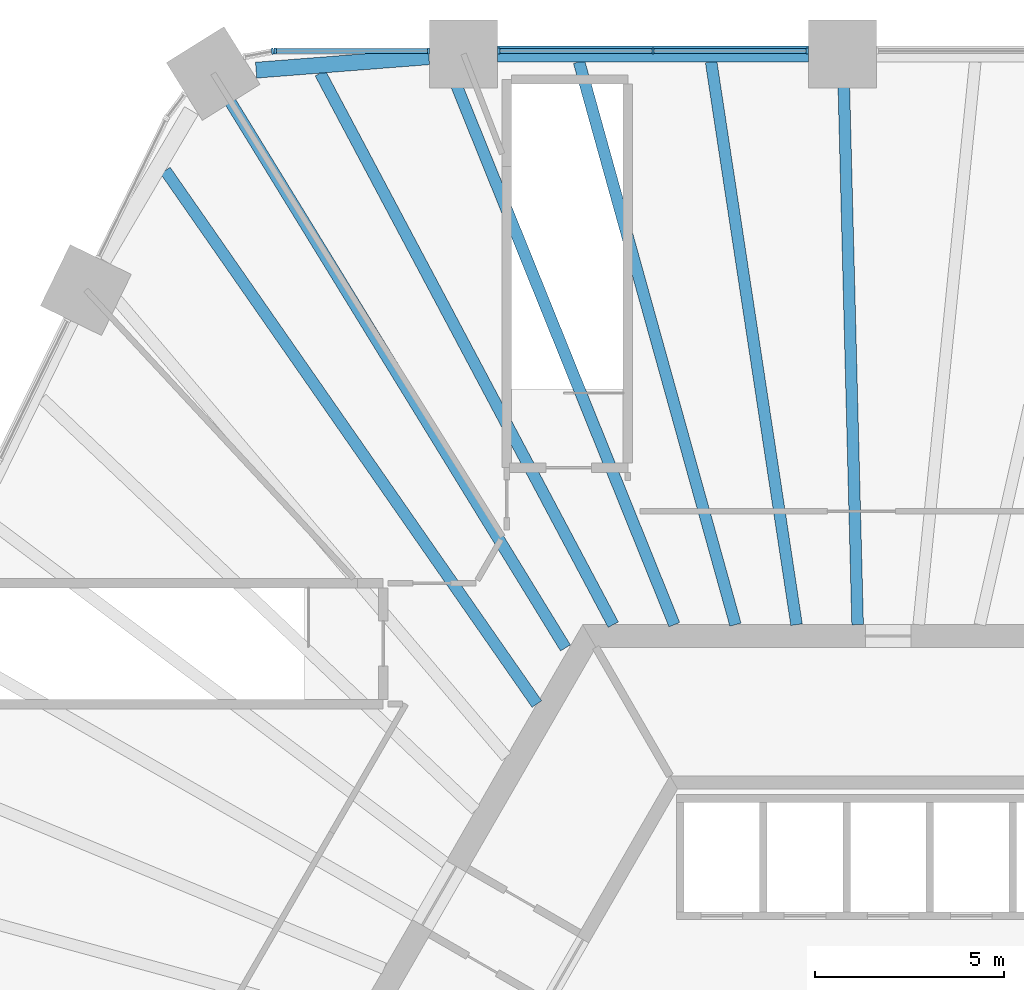
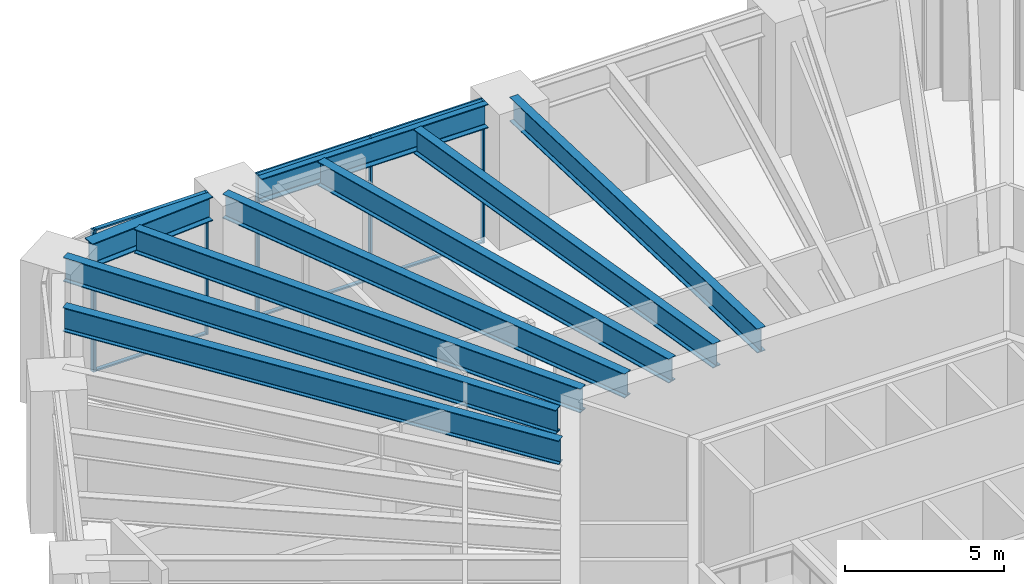
# One storey, part 7 of 25: 12 members, 9 beams, 3 elements without a shape of their own.
"""IFC4 building model written with IfcOpenShell, lengths in metres."""

from ifc_helpers import new_model, si_unit, direction, frame, origin, origin_2d, place, context, subcontext, project, spatial, rectangle, i_section, extrude, material, material_profile, profile_set, type_object, element, aggregate, save


model = new_model("IFC4")

# Units and contexts
model_context = context("Model", 3, precision=1e-05, world=origin(), true_north=direction((0.0, 1.0)))
body_context = subcontext(model_context, "Body", "Model", "MODEL_VIEW")
ifc_project = project(units=[si_unit("LENGTHUNIT", "METRE"), si_unit("AREAUNIT", "SQUARE_METRE"), si_unit("VOLUMEUNIT", "CUBIC_METRE"), si_unit("PLANEANGLEUNIT", "RADIAN"), si_unit("MASSUNIT", "GRAM", prefix="KILO")], contexts=[model_context])

# Site, building, storey
site_placement = place(None, origin())
site = spatial("IfcSite", under=ifc_project, at=site_placement, CompositionType="ELEMENT")
building_placement = place(site_placement, origin())
building = spatial("IfcBuilding", under=site, at=building_placement, Name="Tarnside Tower", CompositionType="ELEMENT")
storey_placement = place(building_placement, frame((0.0, 0.0, 26.0)))
storey = spatial("IfcBuildingStorey", under=building, at=storey_placement, Name="L04", CompositionType="ELEMENT", Elevation=26.0)

# Beams
ifc_material_1 = material(Name="Steel S355", Category="steel")
ifc_material_profile_1 = material_profile(ifc_material_1, i_section(OverallWidth=0.3076171875, OverallDepth=0.926513671875, WebThickness=0.01953125, FlangeThickness=0.031982421875, FilletRadius=0.01904296875, at=origin_2d()), Name="UB 914x305x289")
ifc_profile_set_1 = profile_set([ifc_material_profile_1], Name="Steel S355")
beam_type_1 = type_object("IfcBeamType", Name="Floor beam UB 914x305x289", PredefinedType="BEAM", material=ifc_profile_set_1)
beam_1_placement = place(storey_placement, frame((-1.189697265625, 28.889892578125, 4.73681640625), z_axis=(0.025602780317, -0.999672195092, 0.0), x_axis=(0.999672195092, 0.025602780317, 0.0)))
element("IfcBeam", 1, at=beam_1_placement, inside=storey, type_object=beam_type_1, Name="Floor beam F1.05", PredefinedType="BEAM", context=body_context, shape_type="SweptSolid", body=[
    extrude(i_section(OverallWidth=0.3076171875, OverallDepth=0.926513671875, WebThickness=0.01953125, FlangeThickness=0.031982421875, FilletRadius=0.01904296875, at=origin_2d()), origin(), (0.0, 0.0, 1.0), 14.894775390625),
])
beam_2_placement = place(storey_placement, frame((-4.684326171875, 28.889892578125, 4.73681640625), z_axis=(0.150031075445, -0.988681281506, 0.0), x_axis=(0.988681281506, 0.150031075445, 0.0)))
element("IfcBeam", 2, at=beam_2_placement, inside=storey, type_object=beam_type_1, Name="Floor beam F1.06", PredefinedType="BEAM", context=body_context, shape_type="SweptSolid", body=[
    extrude(i_section(OverallWidth=0.3076171875, OverallDepth=0.926513671875, WebThickness=0.01953125, FlangeThickness=0.031982421875, FilletRadius=0.01904296875, at=origin_2d()), origin(), (0.0, 0.0, 1.0), 15.060302734375),
])
beam_3_placement = place(storey_placement, frame((-8.178955078125, 28.889892578125, 4.73681640625), z_axis=(0.267726156479, -0.963495046763, 0.0), x_axis=(0.963495046763, 0.267726156479, 0.0)))
element("IfcBeam", 3, at=beam_3_placement, inside=storey, type_object=beam_type_1, Name="Floor beam F1.07", PredefinedType="BEAM", context=body_context, shape_type="SweptSolid", body=[
    extrude(i_section(OverallWidth=0.3076171875, OverallDepth=0.926513671875, WebThickness=0.01953125, FlangeThickness=0.031982421875, FilletRadius=0.01904296875, at=origin_2d()), origin(), (0.0, 0.0, 1.0), 15.4541015625),
])
beam_4_placement = place(storey_placement, frame((-11.659912109375, 28.85595703125, 4.73681640625), z_axis=(0.374593548804, -0.927189124825, 0.0), x_axis=(0.927189124825, 0.374593548804, 0.0)))
element("IfcBeam", 4, at=beam_4_placement, inside=storey, type_object=beam_type_1, Name="Floor beam F1.08", PredefinedType="BEAM", context=body_context, shape_type="SweptSolid", body=[
    extrude(i_section(OverallWidth=0.3076171875, OverallDepth=0.926513671875, WebThickness=0.01953125, FlangeThickness=0.031982421875, FilletRadius=0.01904296875, at=origin_2d()), origin(), (0.0, 0.0, 1.0), 16.0224609375),
])
beam_5_placement = place(storey_placement, frame((-15.027587890625, 28.593505859375, 4.73681640625), z_axis=(0.469161347066, -0.883112467593, 0.0), x_axis=(0.883112467593, 0.469161347066, 0.0)))
element("IfcBeam", 5, at=beam_5_placement, inside=storey, type_object=beam_type_1, Name="Floor beam F1.09", PredefinedType="BEAM", context=body_context, shape_type="SweptSolid", body=[
    extrude(i_section(OverallWidth=0.3076171875, OverallDepth=0.926513671875, WebThickness=0.01953125, FlangeThickness=0.031982421875, FilletRadius=0.01904296875, at=origin_2d()), origin(), (0.0, 0.0, 1.0), 16.525146484375),
])
beam_6_placement = place(storey_placement, frame((-17.7392578125, 28.375732421875, 4.73681640625), z_axis=(0.523067783356, -0.852291085261, 0.0), x_axis=(0.852291085261, 0.523067783356, 0.0)))
element("IfcBeam", 6, at=beam_6_placement, inside=storey, type_object=beam_type_1, Name="Floor beam C1", PredefinedType="BEAM", context=body_context, shape_type="SweptSolid", body=[
    extrude(i_section(OverallWidth=0.3076171875, OverallDepth=0.926513671875, WebThickness=0.01953125, FlangeThickness=0.031982421875, FilletRadius=0.01904296875, at=origin_2d()), origin(), (0.0, 0.0, 1.0), 17.58837890625),
])
beam_7_placement = place(storey_placement, frame((-19.12646484375, 26.0166015625, 4.73681640625), z_axis=(0.571485220827, -0.820612358167, 0.0), x_axis=(0.820612358167, 0.571485220827, 0.0)))
element("IfcBeam", 7, at=beam_7_placement, inside=storey, type_object=beam_type_1, Name="Floor beam F2.01", PredefinedType="BEAM", context=body_context, shape_type="SweptSolid", body=[
    extrude(i_section(OverallWidth=0.3076171875, OverallDepth=0.926513671875, WebThickness=0.01953125, FlangeThickness=0.031982421875, FilletRadius=0.01904296875, at=origin_2d()), origin(), (0.0, 0.0, 1.0), 17.20263671875),
])
ifc_material_2 = material(Name="Steel S460", Category="steel")
ifc_material_profile_2 = material_profile(ifc_material_2, i_section(OverallWidth=0.42041015625, OverallDepth=0.9208984375, WebThickness=0.021484375, FlangeThickness=0.03662109375, FilletRadius=0.024169921875, at=origin_2d()), Name="UB 914x419x388")
ifc_profile_set_2 = profile_set([ifc_material_profile_2], Name="Steel S460")
beam_type_2 = type_object("IfcBeamType", Name="Perimeter girder UB 914x419x388", PredefinedType="BEAM", material=ifc_profile_set_2)
beam_8_placement = place(storey_placement, frame((-2.111083984375, 29.10009765625, 4.739501953125), z_axis=(-1.0, 0.0, 0.0), x_axis=(0.0, -1.0, 0.0)))
element("IfcBeam", 8, at=beam_8_placement, inside=storey, type_object=beam_type_2, Name="Perimeter girder M02", PredefinedType="BEAM", context=body_context, shape_type="SweptSolid", body=[
    extrude(i_section(OverallWidth=0.42041015625, OverallDepth=0.9208984375, WebThickness=0.021484375, FlangeThickness=0.03662109375, FilletRadius=0.024169921875, at=origin_2d()), origin(), (0.0, 0.0, 1.0), 8.2236328125),
])
beam_9_placement = place(storey_placement, frame((-12.152099609375, 29.028564453125, 4.739501953125), z_axis=(-0.996975045489, -0.077722317728, 0.0), x_axis=(0.077722317728, -0.996975045489, 0.0)))
element("IfcBeam", 9, at=beam_9_placement, inside=storey, type_object=beam_type_2, Name="Perimeter girder M03", PredefinedType="BEAM", context=body_context, shape_type="SweptSolid", body=[
    extrude(i_section(OverallWidth=0.42041015625, OverallDepth=0.9208984375, WebThickness=0.021484375, FlangeThickness=0.03662109375, FilletRadius=0.024169921875, at=origin_2d()), origin(), (0.0, 0.0, 1.0), 4.586181640625),
])

# Curtain wall, members
ifc_material_3 = material(Name="Retail shopfront glazing wall", Category="glass")
curtain_wall_type = type_object("IfcCurtainWallType", Name="Retail shopfront glazing wall", PredefinedType="NOTDEFINED", material=ifc_material_3)
curtain_wall_1_placement = place(storey_placement, origin())
curtain_wall_1 = element("IfcCurtainWall", 10, at=curtain_wall_1_placement, inside=storey, type_object=curtain_wall_type, Name="Retail shopfront glazing L04 01.0", PredefinedType="NOTDEFINED")
ifc_material_4 = material(Name="Aluminium alloy 6063", Category="aluminium")
ifc_material_profile_3 = material_profile(ifc_material_4, rectangle(XDim=0.159912109375, YDim=0.06005859375, at=origin_2d()), Name="Retail shopfront glazing mullion 60 x 160")
ifc_profile_set_3 = profile_set([ifc_material_profile_3], Name="Aluminium alloy 6063")
member_type_1 = type_object("IfcMemberType", Name="Retail shopfront glazing mullion 60 x 160", PredefinedType="MULLION", material=ifc_profile_set_3)
member_1_placement = place(storey_placement, frame((-2.14111328125, 29.179931640625, -0.25), z_axis=(0.0, 0.0, 1.0), x_axis=(0.0, -1.0, 0.0)))
member_1 = element("IfcMember", 11, at=member_1_placement, type_object=member_type_1, Name="CW2 mullion 1", PredefinedType="MULLION", context=body_context, shape_type="SweptSolid", body=[
    extrude(rectangle(XDim=0.159912109375, YDim=0.06005859375, at=origin_2d()), origin(), (0.0, 0.0, 1.0), 5.449951171875),
])
member_2_placement = place(storey_placement, frame((-6.222900390625, 29.179931640625, -0.25), z_axis=(0.0, 0.0, 1.0), x_axis=(0.0, -1.0, 0.0)))
member_2 = element("IfcMember", 12, at=member_2_placement, type_object=member_type_1, Name="CW2 mullion 2", PredefinedType="MULLION", context=body_context, shape_type="SweptSolid", body=[
    extrude(rectangle(XDim=0.159912109375, YDim=0.06005859375, at=origin_2d()), origin(), (0.0, 0.0, 1.0), 5.449951171875),
])
member_3_placement = place(storey_placement, frame((-10.3046875, 29.179931640625, -0.25), z_axis=(0.0, 0.0, 1.0), x_axis=(0.0, -1.0, 0.0)))
member_3 = element("IfcMember", 13, at=member_3_placement, type_object=member_type_1, Name="CW2 mullion 3", PredefinedType="MULLION", context=body_context, shape_type="SweptSolid", body=[
    extrude(rectangle(XDim=0.159912109375, YDim=0.06005859375, at=origin_2d()), origin(), (0.0, 0.0, 1.0), 5.449951171875),
])

curtain_wall_2_placement = place(storey_placement, origin())
curtain_wall_2 = element("IfcCurtainWall", 14, at=curtain_wall_2_placement, inside=storey, type_object=curtain_wall_type, Name="Retail shopfront glazing L04 02.0", PredefinedType="NOTDEFINED")
member_4_placement = place(storey_placement, frame((-12.164794921875, 29.179931640625, -0.25), z_axis=(0.0, 0.0, 1.0), x_axis=(0.0, -1.0, 0.0)))
member_4 = element("IfcMember", 15, at=member_4_placement, type_object=member_type_1, Name="CW2 mullion 1", PredefinedType="MULLION", context=body_context, shape_type="SweptSolid", body=[
    extrude(rectangle(XDim=0.159912109375, YDim=0.06005859375, at=origin_2d()), origin(), (0.0, 0.0, 1.0), 5.449951171875),
])
member_5_placement = place(storey_placement, frame((-16.216552734375, 29.179931640625, -0.25), z_axis=(0.0, 0.0, 1.0), x_axis=(0.0, -1.0, 0.0)))
member_5 = element("IfcMember", 16, at=member_5_placement, type_object=member_type_1, Name="CW2 mullion 2", PredefinedType="MULLION", context=body_context, shape_type="SweptSolid", body=[
    extrude(rectangle(XDim=0.159912109375, YDim=0.06005859375, at=origin_2d()), origin(), (0.0, 0.0, 1.0), 5.449951171875),
])

# Curtain wall, member
curtain_wall_3_placement = place(storey_placement, origin())
curtain_wall_3 = element("IfcCurtainWall", 17, at=curtain_wall_3_placement, inside=storey, type_object=curtain_wall_type, Name="Retail shopfront glazing L04 02.1", PredefinedType="NOTDEFINED")
member_6_placement = place(storey_placement, frame((-16.290771484375, 29.173095703125, -0.25), z_axis=(0.0, 0.0, 1.0), x_axis=(0.185094923925, -0.982720646541, 0.0)))
member_6 = element("IfcMember", 18, at=member_6_placement, type_object=member_type_1, Name="CW2 mullion 1", PredefinedType="MULLION", context=body_context, shape_type="SweptSolid", body=[
    extrude(rectangle(XDim=0.159912109375, YDim=0.06005859375, at=origin_2d()), origin(), (0.0, 0.0, 1.0), 5.449951171875),
])
aggregate(curtain_wall_3, [member_6])

# Member
ifc_material_profile_4 = material_profile(ifc_material_4, rectangle(XDim=0.139892578125, YDim=0.06005859375, at=origin_2d()), Name="Retail shopfront glazing transom 60 x 140")
ifc_profile_set_4 = profile_set([ifc_material_profile_4], Name="Aluminium alloy 6063")
member_type_2 = type_object("IfcMemberType", Name="Retail shopfront glazing transom 60 x 140", PredefinedType="USERDEFINED", material=ifc_profile_set_4)
member_7_placement = place(storey_placement, frame((-2.171142578125, 29.179931640625, -0.219970703125), z_axis=(-1.0, 0.0, 0.0), x_axis=(0.0, -1.0, 0.0)))
member_7 = element("IfcMember", 19, at=member_7_placement, type_object=member_type_2, Name="CW2 transom 1.1", ObjectType="TRANSOM", PredefinedType="USERDEFINED", context=body_context, shape_type="SweptSolid", body=[
    extrude(rectangle(XDim=0.139892578125, YDim=0.06005859375, at=origin_2d()), origin(), (0.0, 0.0, 1.0), 4.021728515625),
])

member_8_placement = place(storey_placement, frame((-2.171142578125, 29.179931640625, 5.169921875), z_axis=(-1.0, 0.0, 0.0), x_axis=(0.0, -1.0, 0.0)))
member_8 = element("IfcMember", 20, at=member_8_placement, type_object=member_type_2, Name="CW2 transom 1.2", ObjectType="TRANSOM", PredefinedType="USERDEFINED", context=body_context, shape_type="SweptSolid", body=[
    extrude(rectangle(XDim=0.139892578125, YDim=0.06005859375, at=origin_2d()), origin(), (0.0, 0.0, 1.0), 4.021728515625),
])

member_9_placement = place(storey_placement, frame((-6.2529296875, 29.179931640625, -0.219970703125), z_axis=(-1.0, 0.0, 0.0), x_axis=(0.0, -1.0, 0.0)))
member_9 = element("IfcMember", 21, at=member_9_placement, type_object=member_type_2, Name="CW2 transom 2.1", ObjectType="TRANSOM", PredefinedType="USERDEFINED", context=body_context, shape_type="SweptSolid", body=[
    extrude(rectangle(XDim=0.139892578125, YDim=0.06005859375, at=origin_2d()), origin(), (0.0, 0.0, 1.0), 4.021728515625),
])

member_10_placement = place(storey_placement, frame((-6.2529296875, 29.179931640625, 5.169921875), z_axis=(-1.0, 0.0, 0.0), x_axis=(0.0, -1.0, 0.0)))
member_10 = element("IfcMember", 22, at=member_10_placement, type_object=member_type_2, Name="CW2 transom 2.2", ObjectType="TRANSOM", PredefinedType="USERDEFINED", context=body_context, shape_type="SweptSolid", body=[
    extrude(rectangle(XDim=0.139892578125, YDim=0.06005859375, at=origin_2d()), origin(), (0.0, 0.0, 1.0), 4.021728515625),
])

aggregate(curtain_wall_1, [member_1, member_2, member_3, member_7, member_8, member_9, member_10])

member_11_placement = place(storey_placement, frame((-12.19482421875, 29.179931640625, -0.219970703125), z_axis=(-1.0, 0.0, 0.0), x_axis=(0.0, -1.0, 0.0)))
member_11 = element("IfcMember", 23, at=member_11_placement, type_object=member_type_2, Name="CW2 transom 1.1", ObjectType="TRANSOM", PredefinedType="USERDEFINED", context=body_context, shape_type="SweptSolid", body=[
    extrude(rectangle(XDim=0.139892578125, YDim=0.06005859375, at=origin_2d()), origin(), (0.0, 0.0, 1.0), 3.99169921875),
])

member_12_placement = place(storey_placement, frame((-12.19482421875, 29.179931640625, 5.169921875), z_axis=(-1.0, 0.0, 0.0), x_axis=(0.0, -1.0, 0.0)))
member_12 = element("IfcMember", 24, at=member_12_placement, type_object=member_type_2, Name="CW2 transom 1.2", ObjectType="TRANSOM", PredefinedType="USERDEFINED", context=body_context, shape_type="SweptSolid", body=[
    extrude(rectangle(XDim=0.139892578125, YDim=0.06005859375, at=origin_2d()), origin(), (0.0, 0.0, 1.0), 3.99169921875),
])

aggregate(curtain_wall_2, [member_4, member_5, member_11, member_12])

save(model, "model.ifc")
